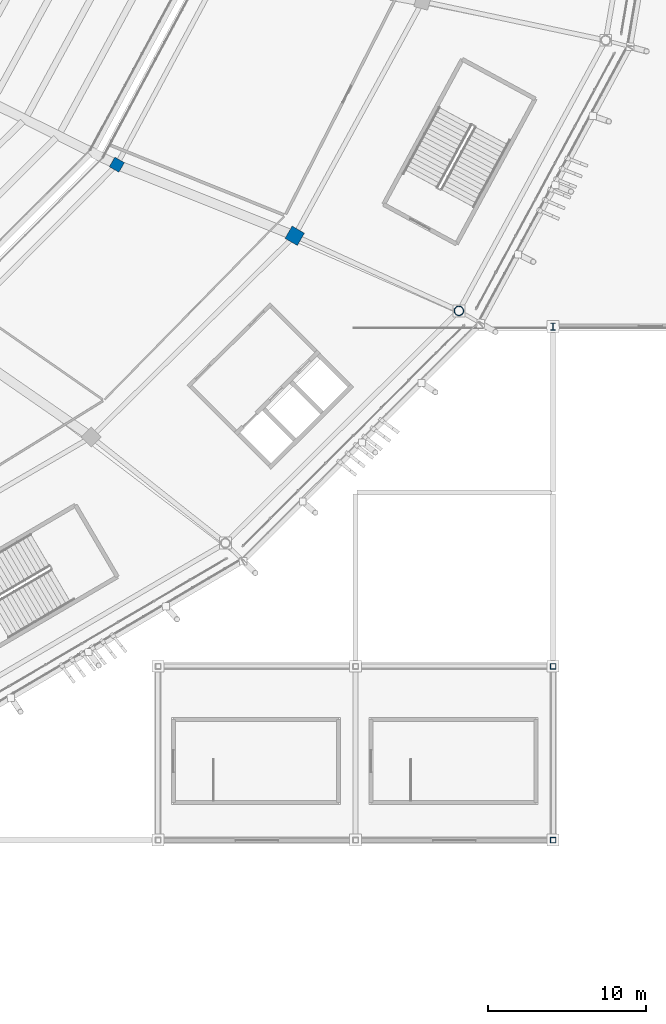
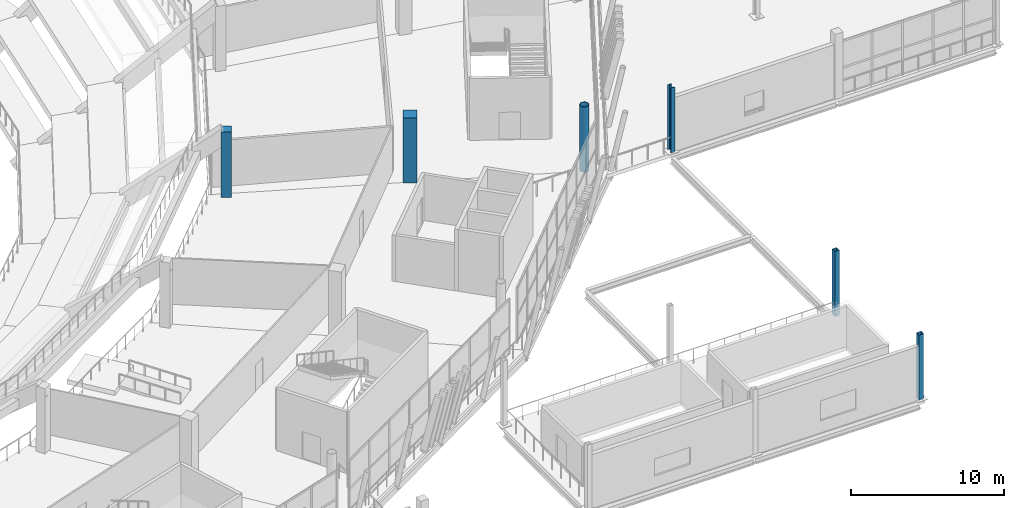
# One storey, part 13 of 178: 6 columns.
"""IFC4 building model written with IfcOpenShell, lengths in metres."""

import ifcopenshell
import ifcopenshell.guid

model = None  # the IFC model being written
_history = None  # IfcOwnerHistory: only IFC2X3 demands one
_inside = {}  # id of a spatial element -> (the spatial element, [elements in it])
_under = {}  # id of a project, library or spatial element -> (it, [spatial elements below it])
_declared = {}  # id of a project -> (the project, [libraries it declares])
_typed = {}  # id of a type object -> (the type object, [elements of that type])
_made_of = {}  # id of a material, layer set ... -> (it, [elements and type objects made of it])


def new_model(schema):
    """Start an empty IFC model of exactly this schema.

    Asked for "IFC4X3", IfcOpenShell would pick the latest addendum, in which some entities
    have other attributes; the version numbers below select the first issue.
    IFC2X3 requires an IfcOwnerHistory on every rooted entity: one is made here for all.
    """
    global model, _history
    if schema == "IFC4X3":
        model = ifcopenshell.file(schema_version=(4, 3, 0, 0))
    else:
        model = ifcopenshell.file(schema=schema)
    _inside.clear()
    _under.clear()
    _declared.clear()
    _typed.clear()
    _made_of.clear()
    _history = None
    if model.schema == "IFC2X3":
        org = make("IfcOrganization", Name="unknown")
        user = make(
            "IfcPersonAndOrganization",
            ThePerson=make("IfcPerson", FamilyName="unknown"),
            TheOrganization=org,
        )
        app = make(
            "IfcApplication",
            ApplicationDeveloper=org,
            Version="unknown",
            ApplicationFullName="unknown",
            ApplicationIdentifier="unknown",
        )
        _history = make(
            "IfcOwnerHistory",
            OwningUser=user,
            OwningApplication=app,
            ChangeAction="ADDED",
            CreationDate=0,
        )
    return model


def make(cls, **values):
    """One entity of the class cls with the attributes given. An attribute that is None is left unset."""
    return model.create_entity(
        cls, **{name: value for name, value in values.items() if value is not None}
    )


def rooted(cls, **values):
    """An entity with a GlobalId (a new one), such as an element, a storey or a relation."""
    return make(cls, GlobalId=ifcopenshell.guid.new(), OwnerHistory=_history, **values)


def si_unit(unit_type, name, prefix=None):
    """IfcSIUnit, for example si_unit("LENGTHUNIT", "METRE", prefix="MILLI")."""
    return make("IfcSIUnit", UnitType=unit_type, Prefix=prefix, Name=name)


def assignment(units):
    """IfcUnitAssignment: the units of a project."""
    return None if units is None else make("IfcUnitAssignment", Units=units)


def point(xyz):
    """IfcCartesianPoint."""
    return None if xyz is None else make("IfcCartesianPoint", Coordinates=xyz)


def direction(xyz):
    """IfcDirection."""
    return None if xyz is None else make("IfcDirection", DirectionRatios=xyz)


def frame(location, z_axis=None, x_axis=None):
    """IfcAxis2Placement3D, a coordinate frame: its origin and axes. An axis left out is left unset."""
    return make(
        "IfcAxis2Placement3D",
        Location=point(location),
        Axis=direction(z_axis),
        RefDirection=direction(x_axis),
    )


def frame_2d(location, x_axis=None):
    """IfcAxis2Placement2D, a coordinate frame in the plane: its origin and x axis."""
    return make(
        "IfcAxis2Placement2D", Location=point(location), RefDirection=direction(x_axis)
    )


def origin():
    """The frame at (0, 0, 0) with its axes left unset."""
    return frame((0.0, 0.0, 0.0))


def origin_2d():
    """The frame at (0, 0) in the plane with its x axis left unset."""
    return frame_2d((0.0, 0.0))


def place(relative_to, where):
    """IfcLocalPlacement: puts the frame where relative to a parent placement (None: the world)."""
    return make(
        "IfcLocalPlacement", PlacementRelTo=relative_to, RelativePlacement=where
    )


def context(
    kind, dimensions, precision=None, world=None, true_north=None, identifier=None
):
    """IfcGeometricRepresentationContext, for example the 3D "Model" context."""
    return make(
        "IfcGeometricRepresentationContext",
        ContextIdentifier=identifier,
        ContextType=kind,
        CoordinateSpaceDimension=dimensions,
        Precision=precision,
        WorldCoordinateSystem=world,
        TrueNorth=true_north,
    )


def subcontext(parent, identifier, kind, view, scale=None):
    """IfcGeometricRepresentationSubContext, for example "Body" below "Model"."""
    return make(
        "IfcGeometricRepresentationSubContext",
        ContextIdentifier=identifier,
        ContextType=kind,
        ParentContext=parent,
        TargetScale=scale,
        TargetView=view,
    )


def project(units=None, contexts=None):
    """IfcProject with its units and contexts."""
    return rooted(
        "IfcProject",
        Name="project",
        RepresentationContexts=contexts,
        UnitsInContext=assignment(units),
    )


def spatial(cls, under=None, at=None, **own):
    """A site, building, storey or space (cls), placed at a placement, below another one or the project."""
    s = rooted(cls, ObjectPlacement=at, **own)
    if under is not None:
        _under.setdefault(under.id(), (under, []))[1].append(s)
    return s


def profile(cls, at=None, kind="AREA", **sizes):
    """A parametric profile (cls). Its sizes go by their IFC names, for example OverallWidth=200.0."""
    return make(cls, ProfileType=kind, Position=at, **sizes)


def rectangle(**sizes):
    """IfcRectangleProfileDef."""
    return profile("IfcRectangleProfileDef", **sizes)


def hollow_rectangle(**sizes):
    """IfcRectangleHollowProfileDef."""
    return profile("IfcRectangleHollowProfileDef", **sizes)


def hollow_circle(**sizes):
    """IfcCircleHollowProfileDef."""
    return profile("IfcCircleHollowProfileDef", **sizes)


def i_section(**sizes):
    """IfcIShapeProfileDef."""
    return profile("IfcIShapeProfileDef", **sizes)


def extrude(swept, where, along, depth):
    """IfcExtrudedAreaSolid: the profile swept, set in the frame where, extruded along a direction by depth."""
    return make(
        "IfcExtrudedAreaSolid",
        SweptArea=swept,
        Position=where,
        ExtrudedDirection=direction(along),
        Depth=depth,
    )


def shape(context_of_items, identifier, shape_type, items):
    """IfcShapeRepresentation: the items that make up one representation, for example the "Body"."""
    return make(
        "IfcShapeRepresentation",
        ContextOfItems=context_of_items,
        RepresentationIdentifier=identifier,
        RepresentationType=shape_type,
        Items=items,
    )


def material(Name=None, Category=None):
    """IfcMaterial."""
    return make("IfcMaterial", Name=Name, Category=Category)


def material_profile(
    of_material, cross_section, Name=None, Category=None, Priority=None
):
    """IfcMaterialProfile: a cross section and its material."""
    return make(
        "IfcMaterialProfile",
        Name=Name,
        Material=of_material,
        Profile=cross_section,
        Priority=Priority,
        Category=Category,
    )


def profile_set(profiles, Name=None, composite=None):
    """IfcMaterialProfileSet."""
    return make(
        "IfcMaterialProfileSet",
        Name=Name,
        MaterialProfiles=profiles,
        CompositeProfile=composite,
    )


def made_of(thing, what):
    """Note that an element or type object is made of a material, layer set ...; save() writes the relation."""
    if what is not None:
        _made_of.setdefault(what.id(), (what, []))[1].append(thing)
    return thing


def type_object(cls, material=None, **own):
    """A type object (cls), such as IfcWallType, which elements share."""
    return made_of(rooted(cls, **own), material)


def element(
    cls,
    number,
    at=None,
    inside=None,
    cuts=None,
    type_object=None,
    material=None,
    context=None,
    identifier="Body",
    shape_type=None,
    held_by="IfcProductDefinitionShape",
    body=None,
    shapes=None,
    **own,
):
    """One element of the class cls, such as IfcWall. Its Tag is "e" and its number.

    at: its placement. inside: the storey or other place that contains it. cuts: it is an
    opening in that element (IfcRelVoidsElement). A single representation is given by context,
    identifier, shape_type and body (its items); several are given by shapes. held_by: the class
    of the entity that holds the representations. save() writes the other relations.
    """
    e = rooted(cls, Tag="e%d" % number, ObjectPlacement=at, **own)
    if body is not None:
        shapes = [shape(context, identifier, shape_type, body)]
    if shapes is not None:
        e.Representation = make(held_by, Representations=shapes)
    if inside is not None:
        _inside.setdefault(inside.id(), (inside, []))[1].append(e)
    if cuts is not None:
        rooted(
            "IfcRelVoidsElement", RelatingBuildingElement=cuts, RelatedOpeningElement=e
        )
    if type_object is not None:
        _typed.setdefault(type_object.id(), (type_object, []))[1].append(e)
    return made_of(e, material)


def aggregate(whole, parts):
    """IfcRelAggregates: a whole, such as a stair, and the parts it consists of."""
    return rooted("IfcRelAggregates", RelatingObject=whole, RelatedObjects=parts)


def save(model, path):
    """Write the relations noted so far, then the file.

    IfcRelAggregates (storeys below a building ...), IfcRelContainedInSpatialStructure (elements
    in a storey), IfcRelDefinesByType, IfcRelAssociatesMaterial and IfcRelDeclares: one each for
    every whole, place, type object, material and project.
    """
    for whole, parts in _under.values():
        aggregate(whole, parts)
    for where, things in _inside.values():
        rooted(
            "IfcRelContainedInSpatialStructure",
            RelatedElements=things,
            RelatingStructure=where,
        )
    for kind, things in _typed.values():
        rooted("IfcRelDefinesByType", RelatedObjects=things, RelatingType=kind)
    for what, things in _made_of.values():
        rooted("IfcRelAssociatesMaterial", RelatedObjects=things, RelatingMaterial=what)
    for by, libraries in _declared.values():
        rooted("IfcRelDeclares", RelatingContext=by, RelatedDefinitions=libraries)
    model.write(path)


model = new_model("IFC4")

# Units and contexts
model_context = context("Model", 3, precision=1e-05, world=origin(), true_north=direction((0.0, 1.0)))
body_context = subcontext(model_context, "Body", "Model", "MODEL_VIEW")
ifc_project = project(units=[si_unit("LENGTHUNIT", "METRE"), si_unit("AREAUNIT", "SQUARE_METRE"), si_unit("VOLUMEUNIT", "CUBIC_METRE"), si_unit("PLANEANGLEUNIT", "RADIAN"), si_unit("MASSUNIT", "GRAM", prefix="KILO")], contexts=[model_context])

# Site, building, storey
site_placement = place(None, origin())
site = spatial("IfcSite", under=ifc_project, at=site_placement, CompositionType="ELEMENT")
building_placement = place(site_placement, origin())
building = spatial("IfcBuilding", under=site, at=building_placement, Name="Zlatoyarsky Gate Stadium", CompositionType="ELEMENT")
storey_placement = place(building_placement, frame((0.0, 0.0, 5.39990234375)))
storey = spatial("IfcBuildingStorey", under=building, at=storey_placement, Name="L01", CompositionType="ELEMENT", Elevation=5.39990234375)

# Columns
ifc_material_1 = material(Name="Concrete C40/50", Category="concrete")
ifc_material_profile_1 = material_profile(ifc_material_1, rectangle(XDim=0.699951171875, YDim=0.699951171875, at=origin_2d()), Name="RC COL 700X700")
ifc_profile_set_1 = profile_set([ifc_material_profile_1], Name="Concrete C40/50")
column_type_1 = type_object("IfcColumnType", Name="CONCRETE COLUMN 700X700", PredefinedType="COLUMN", material=ifc_profile_set_1)
column_1_placement = place(storey_placement, frame((169.8896484375, 53.75, 0.0), z_axis=(0.0, 0.0, 1.0), x_axis=(0.866025403784, -0.5, 0.0)))
element("IfcColumn", 1, at=column_1_placement, inside=storey, type_object=column_type_1, Name="Column RC-C70 RA-22 on L01", PredefinedType="COLUMN", context=body_context, shape_type="SweptSolid", body=[
    extrude(rectangle(XDim=0.699951171875, YDim=0.699951171875, at=origin_2d()), origin(), (0.0, 0.0, 1.0), 5.2001953125),
])
ifc_material_profile_2 = material_profile(ifc_material_1, rectangle(XDim=0.89990234375, YDim=0.89990234375, at=origin_2d()), Name="RC COL 900X900")
ifc_profile_set_2 = profile_set([ifc_material_profile_2], Name="Concrete C40/50")
column_type_2 = type_object("IfcColumnType", Name="CONCRETE COLUMN 900X900", PredefinedType="COLUMN", material=ifc_profile_set_2)
column_2_placement = place(storey_placement, frame((181.148193359375, 49.25, 0.0), z_axis=(0.0, 0.0, 1.0), x_axis=(0.866025403784, -0.5, 0.0)))
element("IfcColumn", 2, at=column_2_placement, inside=storey, type_object=column_type_2, Name="Column RC-C90 RB-22 on L01", PredefinedType="COLUMN", context=body_context, shape_type="SweptSolid", body=[
    extrude(rectangle(XDim=0.89990234375, YDim=0.89990234375, at=origin_2d()), origin(), (0.0, 0.0, 1.0), 5.2001953125),
])
ifc_material_2 = material(Name="Steel S355", Category="steel")
ifc_material_profile_3 = material_profile(ifc_material_2, i_section(OverallWidth=0.300048828125, OverallDepth=0.449951171875, WebThickness=0.013916015625, FlangeThickness=0.02587890625, FilletRadius=0.027099609375, at=origin_2d()), Name="HEB 450")
ifc_profile_set_3 = profile_set([ifc_material_profile_3], Name="Steel S355")
column_type_3 = type_object("IfcColumnType", Name="STEEL COLUMN HEB 450", PredefinedType="COLUMN", material=ifc_profile_set_3)
column_3_placement = place(storey_placement, frame((197.5, 43.5, 0.0), z_axis=(0.0, 0.0, 1.0), x_axis=(1.0, 0.0, 0.0)))
element("IfcColumn", 3, at=column_3_placement, inside=storey, type_object=column_type_3, Name="Column ST-C450 WG-17-E on L01", PredefinedType="COLUMN", context=body_context, shape_type="SweptSolid", body=[
    extrude(i_section(OverallWidth=0.300048828125, OverallDepth=0.449951171875, WebThickness=0.013916015625, FlangeThickness=0.02587890625, FilletRadius=0.027099609375, at=origin_2d()), origin(), (0.0, 0.0, 1.0), 5.2001953125),
])
ifc_material_profile_4 = material_profile(ifc_material_2, hollow_rectangle(XDim=0.35009765625, YDim=0.35009765625, WallThickness=0.02001953125, at=origin_2d()), Name="SHS 350X350X20")
ifc_profile_set_4 = profile_set([ifc_material_profile_4], Name="Steel S355")
column_type_4 = type_object("IfcColumnType", Name="STEEL SQUARE COLUMN SHS 350X350X20", PredefinedType="COLUMN", material=ifc_profile_set_4)
for number, where, z_axis, x_axis, name in (
    (4, (197.5, 11.0, 0.0), (0.0, 0.0, 1.0), (1.0, 0.0, 0.0), "Column ST-CS350 WG-17-B on L01"),
    (5, (197.5, 22.0, 0.0), (0.0, 0.0, 1.0), (1.0, 0.0, 0.0), "Column ST-CS350 WG-17-C on L01"),
):
    element("IfcColumn", number, at=place(storey_placement, frame(where, z_axis=z_axis, x_axis=x_axis)), inside=storey, type_object=column_type_4, Name=name, PredefinedType="COLUMN", context=body_context, shape_type="SweptSolid", body=[
        extrude(hollow_rectangle(XDim=0.35009765625, YDim=0.35009765625, WallThickness=0.02001953125, at=origin_2d()), origin(), (0.0, 0.0, 1.0), 5.2001953125),
    ])
ifc_material_profile_5 = material_profile(ifc_material_2, hollow_circle(Radius=0.304931640625, WallThickness=0.030029296875, at=origin_2d()), Name="CHS 610X30")
ifc_profile_set_5 = profile_set([ifc_material_profile_5], Name="Steel S355")
column_type_5 = type_object("IfcColumnType", Name="STEEL TUBULAR COLUMN CHS 610X30", PredefinedType="COLUMN", material=ifc_profile_set_5)
column_4_placement = place(storey_placement, frame((191.540283203125, 44.5, 0.0), z_axis=(0.0, 0.0, 1.0), x_axis=(0.866025403784, -0.5, 0.0)))
element("IfcColumn", 6, at=column_4_placement, inside=storey, type_object=column_type_5, Name="Column ST-C610 RC-22 on L01", PredefinedType="COLUMN", context=body_context, shape_type="SweptSolid", body=[
    extrude(hollow_circle(Radius=0.304931640625, WallThickness=0.030029296875, at=origin_2d()), origin(), (0.0, 0.0, 1.0), 5.2001953125),
])

save(model, "model.ifc")
